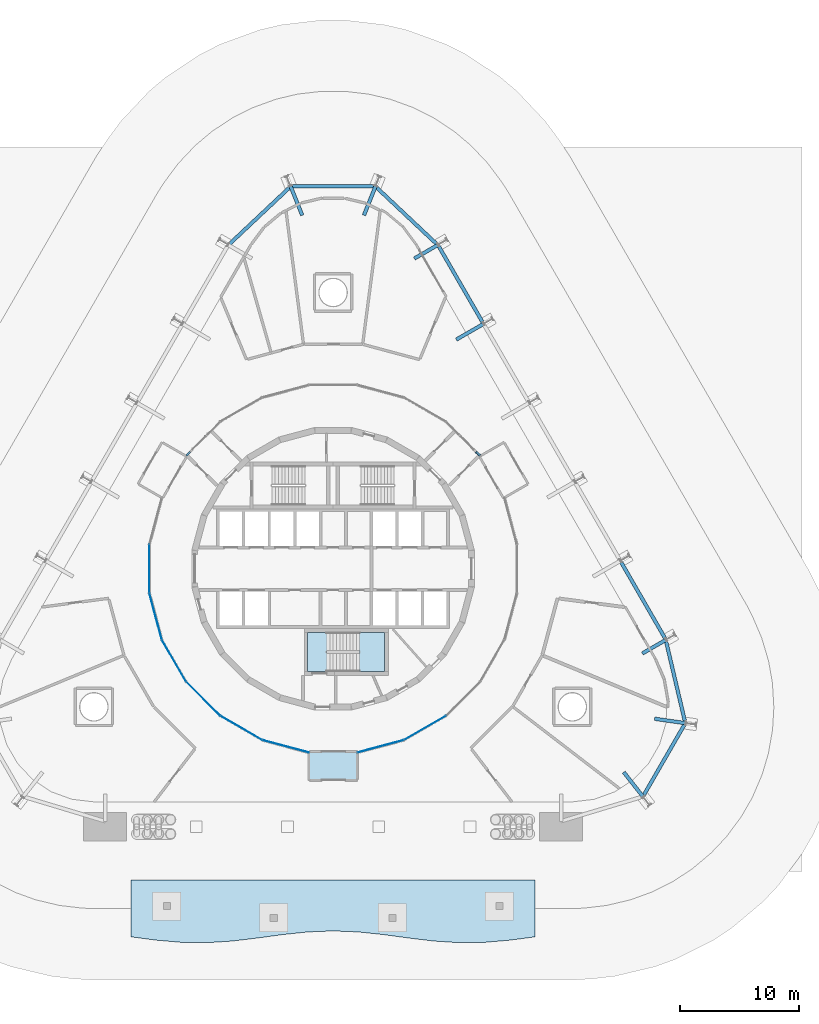
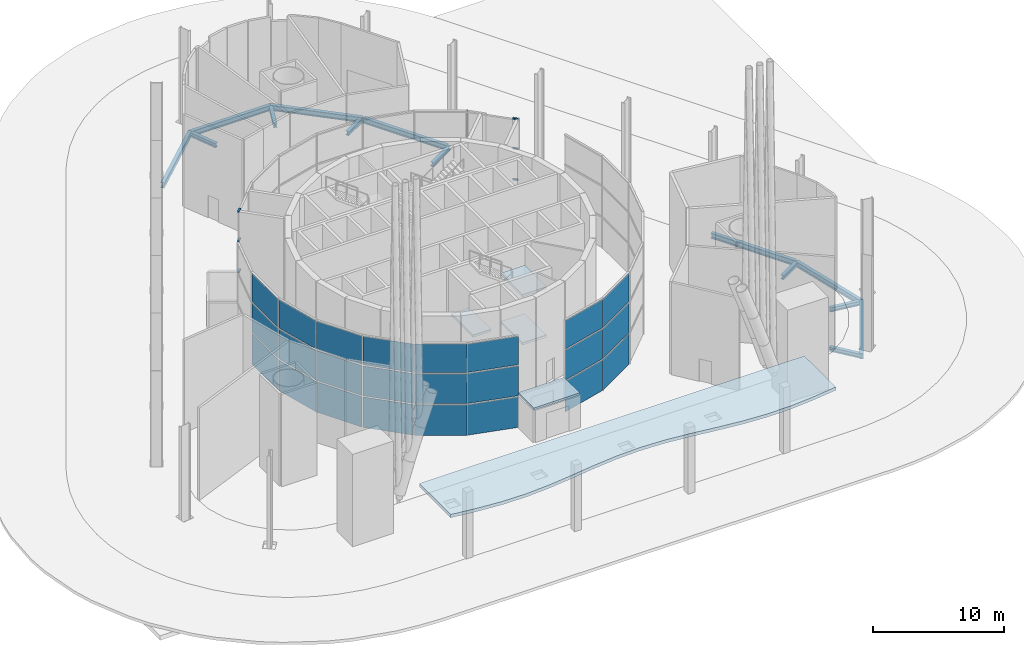
# One storey, part 10 of 21: 24 plates, 14 beams, 6 members, 5 slabs, 11 elements without a shape of their own.
"""IFC4 building model written with IfcOpenShell, lengths in metres."""

from ifc_helpers import new_model, si_unit, direction, frame, origin, origin_2d, place, context, subcontext, project, spatial, polyline, rectangle, i_section, outline, extrude, material, layer, layer_set, material_profile, profile_set, type_object, element, aggregate, save


model = new_model("IFC4")

# Units and contexts
model_context = context("Model", 3, precision=1e-05, world=origin(), true_north=direction((0.0, 1.0)))
body_context = subcontext(model_context, "Body", "Model", "MODEL_VIEW")
ifc_project = project(units=[si_unit("LENGTHUNIT", "METRE"), si_unit("AREAUNIT", "SQUARE_METRE"), si_unit("VOLUMEUNIT", "CUBIC_METRE"), si_unit("PLANEANGLEUNIT", "RADIAN"), si_unit("MASSUNIT", "GRAM", prefix="KILO")], contexts=[model_context])

# Site, building, storey
site_placement = place(None, origin())
site = spatial("IfcSite", under=ifc_project, at=site_placement, CompositionType="ELEMENT")
building_placement = place(site_placement, origin())
building = spatial("IfcBuilding", under=site, at=building_placement, Name="Spindle Arch Residences", CompositionType="ELEMENT")
storey_placement = place(building_placement, origin())
storey = spatial("IfcBuildingStorey", under=building, at=storey_placement, Name="L00", CompositionType="ELEMENT", Elevation=0.0)

# Curtain wall, members
ifc_material_1 = material(Name="Aluminium bronze unitised frame with tinted glass", Category="aluminium")
ifc_layer_1 = layer(ifc_material_1, 0.159912109375)
ifc_layer_set_1 = layer_set([ifc_layer_1], Name="CW-A arcade glazed lobby wall")
curtain_wall_type = type_object("IfcCurtainWallType", Name="CW-A arcade glazed lobby wall", PredefinedType="NOTDEFINED", material=ifc_layer_set_1)
curtain_wall_1_placement = place(storey_placement, origin())
curtain_wall_1 = element("IfcCurtainWall", 1, at=curtain_wall_1_placement, inside=storey, type_object=curtain_wall_type, Name="CW-A L00 CWA07", PredefinedType="NOTDEFINED")
ifc_material_2 = material(Name="Aluminium bronze anodised transom", Category="aluminium")
ifc_material_profile_1 = material_profile(ifc_material_2, rectangle(XDim=0.159912109375, YDim=0.1201171875, at=origin_2d()), Name="TR 120x160")
ifc_profile_set_1 = profile_set([ifc_material_profile_1], Name="Aluminium bronze anodised transom")
member_type = type_object("IfcMemberType", Name="Bronze transom 120x160", PredefinedType="USERDEFINED", material=ifc_profile_set_1)
member_1_placement = place(storey_placement, frame((12.363037109375, 9.524169921875, 2.89990234375), z_axis=(-0.707106781187, 0.707106781187, 0.0), x_axis=(-0.707106781187, -0.707106781187, 0.0)))
member_1 = element("IfcMember", 2, at=member_1_placement, type_object=member_type, Name="CW-A transom L.1", ObjectType="TRANSOM", PredefinedType="USERDEFINED", context=body_context, shape_type="SweptSolid", body=[
    extrude(rectangle(XDim=0.159912109375, YDim=0.1201171875, at=origin_2d()), origin(), (0.0, 0.0, 1.0), 0.447021484375),
])
member_2_placement = place(storey_placement, frame((12.363037109375, 9.524169921875, 5.800048828125), z_axis=(-0.707106781187, 0.707106781187, 0.0), x_axis=(-0.707106781187, -0.707106781187, 0.0)))
member_2 = element("IfcMember", 3, at=member_2_placement, type_object=member_type, Name="CW-A transom L.2", ObjectType="TRANSOM", PredefinedType="USERDEFINED", context=body_context, shape_type="SweptSolid", body=[
    extrude(rectangle(XDim=0.159912109375, YDim=0.1201171875, at=origin_2d()), origin(), (0.0, 0.0, 1.0), 0.447021484375),
])
member_3_placement = place(storey_placement, frame((12.363037109375, 9.524169921875, 8.56005859375), z_axis=(-0.707106781187, 0.707106781187, 0.0), x_axis=(-0.707106781187, -0.707106781187, 0.0)))
member_3 = element("IfcMember", 4, at=member_3_placement, type_object=member_type, Name="CW-A transom L.3", ObjectType="TRANSOM", PredefinedType="USERDEFINED", context=body_context, shape_type="SweptSolid", body=[
    extrude(rectangle(XDim=0.159912109375, YDim=0.1201171875, at=origin_2d()), origin(), (0.0, 0.0, 1.0), 0.447021484375),
])
aggregate(curtain_wall_1, [member_1, member_2, member_3])

curtain_wall_2_placement = place(storey_placement, origin())
curtain_wall_2 = element("IfcCurtainWall", 5, at=curtain_wall_2_placement, inside=storey, type_object=curtain_wall_type, Name="CW-A L00 CWA13", PredefinedType="NOTDEFINED")
member_4_placement = place(storey_placement, frame((-12.0322265625, 9.85498046875, 2.89990234375), z_axis=(-0.707106781187, -0.707106781187, 0.0), x_axis=(0.707106781187, -0.707106781187, 0.0)))
member_4 = element("IfcMember", 6, at=member_4_placement, type_object=member_type, Name="CW-A transom R.1", ObjectType="TRANSOM", PredefinedType="USERDEFINED", context=body_context, shape_type="SweptSolid", body=[
    extrude(rectangle(XDim=0.159912109375, YDim=0.1201171875, at=origin_2d()), origin(), (0.0, 0.0, 1.0), 0.4677734375),
])
member_5_placement = place(storey_placement, frame((-12.0322265625, 9.85498046875, 5.800048828125), z_axis=(-0.707106781187, -0.707106781187, 0.0), x_axis=(0.707106781187, -0.707106781187, 0.0)))
member_5 = element("IfcMember", 7, at=member_5_placement, type_object=member_type, Name="CW-A transom R.2", ObjectType="TRANSOM", PredefinedType="USERDEFINED", context=body_context, shape_type="SweptSolid", body=[
    extrude(rectangle(XDim=0.159912109375, YDim=0.1201171875, at=origin_2d()), origin(), (0.0, 0.0, 1.0), 0.4677734375),
])
member_6_placement = place(storey_placement, frame((-12.0322265625, 9.85498046875, 8.56005859375), z_axis=(-0.707106781187, -0.707106781187, 0.0), x_axis=(0.707106781187, -0.707106781187, 0.0)))
member_6 = element("IfcMember", 8, at=member_6_placement, type_object=member_type, Name="CW-A transom R.3", ObjectType="TRANSOM", PredefinedType="USERDEFINED", context=body_context, shape_type="SweptSolid", body=[
    extrude(rectangle(XDim=0.159912109375, YDim=0.1201171875, at=origin_2d()), origin(), (0.0, 0.0, 1.0), 0.4677734375),
])
aggregate(curtain_wall_2, [member_4, member_5, member_6])

# Beams
ifc_material_3 = material(Name="Steel S460ML, intumescent coating R 120", Category="steel")
ifc_material_profile_2 = material_profile(ifc_material_3, i_section(OverallWidth=0.300048828125, OverallDepth=0.5, WebThickness=0.014404296875, FlangeThickness=0.028076171875, FilletRadius=0.027099609375, at=origin_2d()), Name="HEB 500")
ifc_profile_set_2 = profile_set([ifc_material_profile_2], Name="Steel S460ML, intumescent coating R 120")
beam_type_1 = type_object("IfcBeamType", Name="Exoskeleton edge beam HEB 500", PredefinedType="BEAM", material=ifc_profile_set_2)
beam_1_placement = place(storey_placement, frame((26.06689453125, -19.227783203125, -0.949951171875), z_axis=(0.500025200273, 0.866010853911, 0.0), x_axis=(-0.866010853911, 0.500025200273, 0.0)))
element("IfcBeam", 9, at=beam_1_placement, inside=storey, type_object=beam_type_1, Name="Exoskeleton edge beam 4", PredefinedType="BEAM", context=body_context, shape_type="SweptSolid", body=[
    extrude(i_section(OverallWidth=0.300048828125, OverallDepth=0.5, WebThickness=0.014404296875, FlangeThickness=0.028076171875, FilletRadius=0.027099609375, at=origin_2d()), origin(), (0.0, 0.0, 1.0), 7.236572265625),
])
beam_2_placement = place(storey_placement, frame((29.668212890625, -13.03173828125, -0.949951171875), z_axis=(-0.229185730541, 0.973382710406, 0.0), x_axis=(-0.973382710406, -0.229185730541, 0.0)))
element("IfcBeam", 10, at=beam_2_placement, inside=storey, type_object=beam_type_1, Name="Exoskeleton edge beam 5", PredefinedType="BEAM", context=body_context, shape_type="SweptSolid", body=[
    extrude(i_section(OverallWidth=0.300048828125, OverallDepth=0.5, WebThickness=0.014404296875, FlangeThickness=0.028076171875, FilletRadius=0.027099609375, at=origin_2d()), origin(), (0.0, 0.0, 1.0), 7.25),
])
beam_3_placement = place(storey_placement, frame((27.964111328125, -5.875244140625, -0.949951171875), z_axis=(-0.50002815445, 0.866009148195, 0.0), x_axis=(-0.866009148195, -0.50002815445, 0.0)))
element("IfcBeam", 11, at=beam_3_placement, inside=storey, type_object=beam_type_1, Name="Exoskeleton edge beam 6", PredefinedType="BEAM", context=body_context, shape_type="SweptSolid", body=[
    extrude(i_section(OverallWidth=0.300048828125, OverallDepth=0.5, WebThickness=0.014404296875, FlangeThickness=0.028076171875, FilletRadius=0.027099609375, at=origin_2d()), origin(), (0.0, 0.0, 1.0), 7.419921875),
])
beam_4_placement = place(storey_placement, frame((12.60400390625, 20.729248046875, -0.949951171875), z_axis=(-0.5000139068, 0.866017374541, 0.0), x_axis=(-0.866017374541, -0.5000139068, 0.0)))
element("IfcBeam", 12, at=beam_4_placement, inside=storey, type_object=beam_type_1, Name="Exoskeleton edge beam 10", PredefinedType="BEAM", context=body_context, shape_type="SweptSolid", body=[
    extrude(i_section(OverallWidth=0.300048828125, OverallDepth=0.5, WebThickness=0.014404296875, FlangeThickness=0.028076171875, FilletRadius=0.027099609375, at=origin_2d()), origin(), (0.0, 0.0, 1.0), 7.420166015625),
])
beam_5_placement = place(storey_placement, frame((8.829345703125, 27.24169921875, -0.949951171875), z_axis=(-0.728377909202, 0.685175613538, 0.0), x_axis=(-0.685175613538, -0.728377909202, 0.0)))
element("IfcBeam", 13, at=beam_5_placement, inside=storey, type_object=beam_type_1, Name="Exoskeleton edge beam 11", PredefinedType="BEAM", context=body_context, shape_type="SweptSolid", body=[
    extrude(i_section(OverallWidth=0.300048828125, OverallDepth=0.5, WebThickness=0.014404296875, FlangeThickness=0.028076171875, FilletRadius=0.027099609375, at=origin_2d()), origin(), (0.0, 0.0, 1.0), 7.250244140625),
])
beam_6_placement = place(storey_placement, frame((3.6181640625, 32.188720703125, -0.949951171875), z_axis=(-1.0, 0.0, 0.0), x_axis=(0.0, -1.0, 0.0)))
element("IfcBeam", 14, at=beam_6_placement, inside=storey, type_object=beam_type_1, Name="Exoskeleton edge beam 12", PredefinedType="BEAM", context=body_context, shape_type="SweptSolid", body=[
    extrude(i_section(OverallWidth=0.300048828125, OverallDepth=0.5, WebThickness=0.014404296875, FlangeThickness=0.028076171875, FilletRadius=0.027099609375, at=origin_2d()), origin(), (0.0, 0.0, 1.0), 7.236328125),
])
beam_7_placement = place(storey_placement, frame((-3.54833984375, 32.20947265625, -0.949951171875), z_axis=(-0.728377909202, -0.685175613538, 0.0), x_axis=(0.685175613538, -0.728377909202, 0.0)))
element("IfcBeam", 15, at=beam_7_placement, inside=storey, type_object=beam_type_1, Name="Exoskeleton edge beam 13", PredefinedType="BEAM", context=body_context, shape_type="SweptSolid", body=[
    extrude(i_section(OverallWidth=0.300048828125, OverallDepth=0.5, WebThickness=0.014404296875, FlangeThickness=0.028076171875, FilletRadius=0.027099609375, at=origin_2d()), origin(), (0.0, 0.0, 1.0), 7.250244140625),
])
ifc_material_4 = material(Name="Steel S460ML, intumescent coating R 120", Category="steel")
ifc_material_profile_3 = material_profile(ifc_material_4, i_section(OverallWidth=0.300048828125, OverallDepth=0.389892578125, WebThickness=0.010986328125, FlangeThickness=0.01904296875, FilletRadius=0.027099609375, at=origin_2d()), Name="HEA 400")
ifc_profile_set_3 = profile_set([ifc_material_profile_3], Name="Steel S460ML, intumescent coating R 120")
beam_type_2 = type_object("IfcBeamType", Name="Floor outrigger HEA 400", PredefinedType="BEAM", material=ifc_profile_set_3)
for number, where, z_axis, x_axis, name in (
    (16, (26.11328125, -19.211669921875, -0.89501953125), (-0.618586231558, 0.785716917297, 0.0), (-0.785716917297, -0.618586231558, 0.0), "Floor outrigger 4"),
    (17, (29.694580078125, -13.009033203125, -0.89501953125), (-0.989738348309, 0.142891573883, 0.0), (-0.142891573883, -0.989738348309, 0.0), "Floor outrigger 5"),
):
    element("IfcBeam", number, at=place(storey_placement, frame(where, z_axis=z_axis, x_axis=x_axis)), inside=storey, type_object=beam_type_2, Name=name, PredefinedType="BEAM", context=body_context, shape_type="SweptSolid", body=[
        extrude(i_section(OverallWidth=0.300048828125, OverallDepth=0.389892578125, WebThickness=0.010986328125, FlangeThickness=0.01904296875, FilletRadius=0.027099609375, at=origin_2d()), origin(), (0.0, 0.0, 1.0), 2.64990234375),
    ])
beam_8_placement = place(storey_placement, frame((28.029052734375, -5.98779296875, -0.89501953125), z_axis=(-0.866001280077, -0.50004178116, 0.0), x_axis=(0.50004178116, -0.866001280077, 0.0)))
element("IfcBeam", 18, at=beam_8_placement, inside=storey, type_object=beam_type_2, Name="Floor outrigger 6", PredefinedType="BEAM", context=body_context, shape_type="SweptSolid", body=[
    extrude(i_section(OverallWidth=0.300048828125, OverallDepth=0.389892578125, WebThickness=0.010986328125, FlangeThickness=0.01904296875, FilletRadius=0.027099609375, at=origin_2d()), origin(), (0.0, 0.0, 1.0), 2.294189453125),
])
beam_9_placement = place(storey_placement, frame((12.6689453125, 20.61669921875, -0.89501953125), z_axis=(-0.866052124492, -0.499953715521, 0.0), x_axis=(0.499953715521, -0.866052124492, 0.0)))
element("IfcBeam", 19, at=beam_9_placement, inside=storey, type_object=beam_type_2, Name="Floor outrigger 10", PredefinedType="BEAM", context=body_context, shape_type="SweptSolid", body=[
    extrude(i_section(OverallWidth=0.300048828125, OverallDepth=0.389892578125, WebThickness=0.010986328125, FlangeThickness=0.01904296875, FilletRadius=0.027099609375, at=origin_2d()), origin(), (0.0, 0.0, 1.0), 2.650146484375),
])
beam_10_placement = place(storey_placement, frame((8.828857421875, 27.267822265625, -0.89501953125), z_axis=(-0.866020755578, -0.500008050843, 0.0), x_axis=(0.500008050843, -0.866020755578, 0.0)))
element("IfcBeam", 20, at=beam_10_placement, inside=storey, type_object=beam_type_2, Name="Floor outrigger 11", PredefinedType="BEAM", context=body_context, shape_type="SweptSolid", body=[
    extrude(i_section(OverallWidth=0.300048828125, OverallDepth=0.389892578125, WebThickness=0.010986328125, FlangeThickness=0.01904296875, FilletRadius=0.027099609375, at=origin_2d()), origin(), (0.0, 0.0, 1.0), 2.2939453125),
])
for number, where, z_axis, x_axis, name in (
    (21, (3.581298828125, 32.220703125, -0.89501953125), (-0.371104734129, -0.928591016706, 0.0), (0.928591016706, -0.371104734129, 0.0), "Floor outrigger 12"),
    (22, (-3.581298828125, 32.220703125, -0.89501953125), (0.371104734129, -0.928591016706, 0.0), (0.928591016706, 0.371104734129, 0.0), "Floor outrigger 13"),
):
    element("IfcBeam", number, at=place(storey_placement, frame(where, z_axis=z_axis, x_axis=x_axis)), inside=storey, type_object=beam_type_2, Name=name, PredefinedType="BEAM", context=body_context, shape_type="SweptSolid", body=[
        extrude(i_section(OverallWidth=0.300048828125, OverallDepth=0.389892578125, WebThickness=0.010986328125, FlangeThickness=0.01904296875, FilletRadius=0.027099609375, at=origin_2d()), origin(), (0.0, 0.0, 1.0), 2.64990234375),
    ])

# Slab
ifc_material_5 = material(Name="Concrete C40/50", Category="concrete")
ifc_layer_2 = layer(ifc_material_5, 0.199951171875)
ifc_layer_set_2 = layer_set([ifc_layer_2], Name="Entrance vestibule roof slab 200")
slab_type_1 = type_object("IfcSlabType", Name="Entrance vestibule roof slab 200", PredefinedType="ROOF", material=ifc_layer_set_2)
slab_1_placement = place(storey_placement, frame((0.0, 0.0, 3.0)))
element("IfcSlab", 23, at=slab_1_placement, inside=storey, type_object=slab_type_1, Name="Entrance vestibule S roof", PredefinedType="ROOF", context=body_context, shape_type="SweptSolid", body=[
    extrude(outline(polyline([(2.027099609375, -15.397216796875), (-2.027099609375, -15.397216796875), (-2.027099609375, -17.79736328125), (2.027099609375, -17.79736328125), (2.027099609375, -15.397216796875)])), origin(), (0.0, 0.0, 1.0), 0.199951171875),
])

# Stair, slabs
ifc_material_6 = material(Name="Concrete C50/60", Category="concrete")
stair_type = type_object("IfcStairType", Name="Exit stair 44 risers", PredefinedType="HALF_TURN_STAIR", material=ifc_material_6)
stair_placement = place(storey_placement, origin())
stair = element("IfcStair", 24, at=stair_placement, inside=storey, type_object=stair_type, Name="L00 Exit stair ST3", PredefinedType="HALF_TURN_STAIR")
ifc_material_7 = material(Name="Concrete C50/60", Category="concrete")
ifc_layer_3 = layer(ifc_material_7, 0.219970703125)
ifc_layer_set_3 = layer_set([ifc_layer_3], Name="Exit stair landing 220")
slab_type_2 = type_object("IfcSlabType", Name="Exit stair landing 220", PredefinedType="LANDING", material=ifc_layer_set_3)
slab_2_placement = place(storey_placement, frame((0.0, 0.0, 2.030029296875)))
slab_2 = element("IfcSlab", 25, at=slab_2_placement, type_object=slab_type_2, Name="ST3 landing 1", PredefinedType="LANDING", context=body_context, shape_type="SweptSolid", body=[
    extrude(outline(polyline([(2.22998046875, -8.669921875), (4.35009765625, -8.669921875), (4.35009765625, -5.35009765625), (2.22998046875, -5.35009765625), (2.22998046875, -8.669921875)])), origin(), (0.0, 0.0, 1.0), 0.219970703125),
])
slab_3_placement = place(storey_placement, frame((0.0, 0.0, 4.280029296875)))
slab_3 = element("IfcSlab", 26, at=slab_3_placement, type_object=slab_type_2, Name="ST3 landing 2", PredefinedType="LANDING", context=body_context, shape_type="SweptSolid", body=[
    extrude(outline(polyline([(-2.14990234375, -8.669921875), (-0.530029296875, -8.669921875), (-0.530029296875, -5.35009765625), (-2.14990234375, -5.35009765625), (-2.14990234375, -8.669921875)])), origin(), (0.0, 0.0, 1.0), 0.219970703125),
])
slab_4_placement = place(storey_placement, frame((0.0, 0.0, 6.530029296875)))
slab_4 = element("IfcSlab", 27, at=slab_4_placement, type_object=slab_type_2, Name="ST3 landing 3", PredefinedType="LANDING", context=body_context, shape_type="SweptSolid", body=[
    extrude(outline(polyline([(2.22998046875, -8.669921875), (4.35009765625, -8.669921875), (4.35009765625, -5.35009765625), (2.22998046875, -5.35009765625), (2.22998046875, -8.669921875)])), origin(), (0.0, 0.0, 1.0), 0.219970703125),
])
aggregate(stair, [slab_2, slab_3, slab_4])

# Slab
ifc_material_8 = material(Name="Concrete C40/50", Category="concrete")
ifc_layer_4 = layer(ifc_material_8, 0.300048828125)
ifc_layer_set_4 = layer_set([ifc_layer_4], Name="Marquise canopy slab 300")
slab_type_3 = type_object("IfcSlabType", Name="Marquise canopy slab 300", PredefinedType="ROOF", material=ifc_layer_set_4)
slab_5_placement = place(storey_placement, frame((0.0, 0.0, 6.199951171875)))
element("IfcSlab", 28, at=slab_5_placement, inside=storey, type_object=slab_type_3, Name="CANOPY marquise", PredefinedType="ROOF", context=body_context, shape_type="SweptSolid", body=[
    extrude(outline(polyline([(-17.0, -31.0), (-14.875, -31.27783203125), (-12.75, -31.4619140625), (-10.625, -31.490478515625), (-8.5, -31.353515625), (-6.375, -31.09765625), (-4.25, -30.80859375), (-2.125, -30.584228515625), (0.0, -30.5), (2.125, -30.584228515625), (4.25, -30.80859375), (6.375, -31.09765625), (8.5, -31.353515625), (10.625, -31.490478515625), (12.75, -31.4619140625), (14.875, -31.27783203125), (17.0, -31.0), (17.0, -26.199951171875), (-17.0, -26.199951171875), (-17.0, -31.0)])), origin(), (0.0, 0.0, 1.0), 0.300048828125),
])

# Curtain wall, plates
curtain_wall_3_placement = place(storey_placement, origin())
curtain_wall_3 = element("IfcCurtainWall", 29, at=curtain_wall_3_placement, inside=storey, type_object=curtain_wall_type, Name="CW-A L00 CWA00", PredefinedType="NOTDEFINED")
ifc_material_9 = material(Name="Tinted laminated glass 28 mm", Category="glass")
ifc_layer_5 = layer(ifc_material_9, 0.028076171875)
ifc_layer_set_5 = layer_set([ifc_layer_5], Name="Tinted glass panel 28 mm")
plate_type = type_object("IfcPlateType", Name="Tinted glass panel 28 mm", PredefinedType="CURTAIN_PANEL", material=ifc_layer_set_5)
plate_1_placement = place(storey_placement, frame((7.73828125, -13.403076171875, 0.0), z_axis=(0.0, 0.0, 1.0), x_axis=(0.866012300009, 0.500022695718, 0.0)))
plate_1 = element("IfcPlate", 30, at=plate_1_placement, type_object=plate_type, Name="CW-A panel 00.1", PredefinedType="CURTAIN_PANEL", context=body_context, shape_type="SweptSolid", body=[
    extrude(rectangle(XDim=4.01513671875, YDim=0.028076171875, at=origin_2d()), origin(), (0.0, 0.0, 1.0), 2.840087890625),
])
plate_2_placement = place(storey_placement, frame((7.73828125, -13.403076171875, 2.9599609375), z_axis=(0.0, 0.0, 1.0), x_axis=(0.866012300009, 0.500022695718, 0.0)))
plate_2 = element("IfcPlate", 31, at=plate_2_placement, type_object=plate_type, Name="CW-A panel 00.2", PredefinedType="CURTAIN_PANEL", context=body_context, shape_type="SweptSolid", body=[
    extrude(rectangle(XDim=4.01513671875, YDim=0.028076171875, at=origin_2d()), origin(), (0.0, 0.0, 1.0), 2.780029296875),
])
plate_3_placement = place(storey_placement, frame((7.73828125, -13.403076171875, 5.85986328125), z_axis=(0.0, 0.0, 1.0), x_axis=(0.866012300009, 0.500022695718, 0.0)))
plate_3 = element("IfcPlate", 32, at=plate_3_placement, type_object=plate_type, Name="CW-A panel 00.3", PredefinedType="CURTAIN_PANEL", context=body_context, shape_type="SweptSolid", body=[
    extrude(rectangle(XDim=4.01513671875, YDim=0.028076171875, at=origin_2d()), origin(), (0.0, 0.0, 1.0), 2.639892578125),
])
aggregate(curtain_wall_3, [plate_1, plate_2, plate_3])

curtain_wall_4_placement = place(storey_placement, origin())
curtain_wall_4 = element("IfcCurtainWall", 33, at=curtain_wall_4_placement, inside=storey, type_object=curtain_wall_type, Name="CW-A L00 CWA16", PredefinedType="NOTDEFINED")
plate_4_placement = place(storey_placement, frame((-15.4765625, 0.0, 0.0), z_axis=(0.0, 0.0, 1.0), x_axis=(0.0, -1.0, 0.0)))
plate_4 = element("IfcPlate", 34, at=plate_4_placement, type_object=plate_type, Name="CW-A panel 00.1", PredefinedType="CURTAIN_PANEL", context=body_context, shape_type="SweptSolid", body=[
    extrude(rectangle(XDim=4.014892578125, YDim=0.028076171875, at=origin_2d()), origin(), (0.0, 0.0, 1.0), 2.840087890625),
])
plate_5_placement = place(storey_placement, frame((-15.4765625, 0.0, 2.9599609375), z_axis=(0.0, 0.0, 1.0), x_axis=(0.0, -1.0, 0.0)))
plate_5 = element("IfcPlate", 35, at=plate_5_placement, type_object=plate_type, Name="CW-A panel 00.2", PredefinedType="CURTAIN_PANEL", context=body_context, shape_type="SweptSolid", body=[
    extrude(rectangle(XDim=4.014892578125, YDim=0.028076171875, at=origin_2d()), origin(), (0.0, 0.0, 1.0), 2.780029296875),
])
plate_6_placement = place(storey_placement, frame((-15.4765625, 0.0, 5.85986328125), z_axis=(0.0, 0.0, 1.0), x_axis=(0.0, -1.0, 0.0)))
plate_6 = element("IfcPlate", 36, at=plate_6_placement, type_object=plate_type, Name="CW-A panel 00.3", PredefinedType="CURTAIN_PANEL", context=body_context, shape_type="SweptSolid", body=[
    extrude(rectangle(XDim=4.014892578125, YDim=0.028076171875, at=origin_2d()), origin(), (0.0, 0.0, 1.0), 2.639892578125),
])
aggregate(curtain_wall_4, [plate_4, plate_5, plate_6])

curtain_wall_5_placement = place(storey_placement, origin())
curtain_wall_5 = element("IfcCurtainWall", 37, at=curtain_wall_5_placement, inside=storey, type_object=curtain_wall_type, Name="CW-A L00 CWA17", PredefinedType="NOTDEFINED")
plate_7_placement = place(storey_placement, frame((-14.94921875, -4.005615234375, 0.0), z_axis=(0.0, 0.0, 1.0), x_axis=(0.258786338994, -0.965934589271, 0.0)))
plate_7 = element("IfcPlate", 38, at=plate_7_placement, type_object=plate_type, Name="CW-A panel 00.1", PredefinedType="CURTAIN_PANEL", context=body_context, shape_type="SweptSolid", body=[
    extrude(rectangle(XDim=4.01513671875, YDim=0.028076171875, at=origin_2d()), origin(), (0.0, 0.0, 1.0), 2.840087890625),
])
plate_8_placement = place(storey_placement, frame((-14.94921875, -4.005615234375, 2.9599609375), z_axis=(0.0, 0.0, 1.0), x_axis=(0.258786338994, -0.965934589271, 0.0)))
plate_8 = element("IfcPlate", 39, at=plate_8_placement, type_object=plate_type, Name="CW-A panel 00.2", PredefinedType="CURTAIN_PANEL", context=body_context, shape_type="SweptSolid", body=[
    extrude(rectangle(XDim=4.01513671875, YDim=0.028076171875, at=origin_2d()), origin(), (0.0, 0.0, 1.0), 2.780029296875),
])
plate_9_placement = place(storey_placement, frame((-14.94921875, -4.005615234375, 5.85986328125), z_axis=(0.0, 0.0, 1.0), x_axis=(0.258786338994, -0.965934589271, 0.0)))
plate_9 = element("IfcPlate", 40, at=plate_9_placement, type_object=plate_type, Name="CW-A panel 00.3", PredefinedType="CURTAIN_PANEL", context=body_context, shape_type="SweptSolid", body=[
    extrude(rectangle(XDim=4.01513671875, YDim=0.028076171875, at=origin_2d()), origin(), (0.0, 0.0, 1.0), 2.639892578125),
])
aggregate(curtain_wall_5, [plate_7, plate_8, plate_9])

curtain_wall_6_placement = place(storey_placement, origin())
curtain_wall_6 = element("IfcCurtainWall", 41, at=curtain_wall_6_placement, inside=storey, type_object=curtain_wall_type, Name="CW-A L00 CWA18", PredefinedType="NOTDEFINED")
plate_10_placement = place(storey_placement, frame((-13.403076171875, -7.73828125, 0.0), z_axis=(0.0, 0.0, 1.0), x_axis=(0.500022695718, -0.866012300009, 0.0)))
plate_10 = element("IfcPlate", 42, at=plate_10_placement, type_object=plate_type, Name="CW-A panel 00.1", PredefinedType="CURTAIN_PANEL", context=body_context, shape_type="SweptSolid", body=[
    extrude(rectangle(XDim=4.01513671875, YDim=0.028076171875, at=origin_2d()), origin(), (0.0, 0.0, 1.0), 2.840087890625),
])
plate_11_placement = place(storey_placement, frame((-13.403076171875, -7.73828125, 2.9599609375), z_axis=(0.0, 0.0, 1.0), x_axis=(0.500022695718, -0.866012300009, 0.0)))
plate_11 = element("IfcPlate", 43, at=plate_11_placement, type_object=plate_type, Name="CW-A panel 00.2", PredefinedType="CURTAIN_PANEL", context=body_context, shape_type="SweptSolid", body=[
    extrude(rectangle(XDim=4.01513671875, YDim=0.028076171875, at=origin_2d()), origin(), (0.0, 0.0, 1.0), 2.780029296875),
])
plate_12_placement = place(storey_placement, frame((-13.403076171875, -7.73828125, 5.85986328125), z_axis=(0.0, 0.0, 1.0), x_axis=(0.500022695718, -0.866012300009, 0.0)))
plate_12 = element("IfcPlate", 44, at=plate_12_placement, type_object=plate_type, Name="CW-A panel 00.3", PredefinedType="CURTAIN_PANEL", context=body_context, shape_type="SweptSolid", body=[
    extrude(rectangle(XDim=4.01513671875, YDim=0.028076171875, at=origin_2d()), origin(), (0.0, 0.0, 1.0), 2.639892578125),
])
aggregate(curtain_wall_6, [plate_10, plate_11, plate_12])

curtain_wall_7_placement = place(storey_placement, origin())
curtain_wall_7 = element("IfcCurtainWall", 45, at=curtain_wall_7_placement, inside=storey, type_object=curtain_wall_type, Name="CW-A L00 CWA19", PredefinedType="NOTDEFINED")
plate_13_placement = place(storey_placement, frame((-10.943603515625, -10.943603515625, 0.0), z_axis=(0.0, 0.0, 1.0), x_axis=(0.707106781187, -0.707106781187, 0.0)))
plate_13 = element("IfcPlate", 46, at=plate_13_placement, type_object=plate_type, Name="CW-A panel 00.1", PredefinedType="CURTAIN_PANEL", context=body_context, shape_type="SweptSolid", body=[
    extrude(rectangle(XDim=4.014892578125, YDim=0.028076171875, at=origin_2d()), origin(), (0.0, 0.0, 1.0), 2.840087890625),
])
plate_14_placement = place(storey_placement, frame((-10.943603515625, -10.943603515625, 2.9599609375), z_axis=(0.0, 0.0, 1.0), x_axis=(0.707106781187, -0.707106781187, 0.0)))
plate_14 = element("IfcPlate", 47, at=plate_14_placement, type_object=plate_type, Name="CW-A panel 00.2", PredefinedType="CURTAIN_PANEL", context=body_context, shape_type="SweptSolid", body=[
    extrude(rectangle(XDim=4.014892578125, YDim=0.028076171875, at=origin_2d()), origin(), (0.0, 0.0, 1.0), 2.780029296875),
])
plate_15_placement = place(storey_placement, frame((-10.943603515625, -10.943603515625, 5.85986328125), z_axis=(0.0, 0.0, 1.0), x_axis=(0.707106781187, -0.707106781187, 0.0)))
plate_15 = element("IfcPlate", 48, at=plate_15_placement, type_object=plate_type, Name="CW-A panel 00.3", PredefinedType="CURTAIN_PANEL", context=body_context, shape_type="SweptSolid", body=[
    extrude(rectangle(XDim=4.014892578125, YDim=0.028076171875, at=origin_2d()), origin(), (0.0, 0.0, 1.0), 2.639892578125),
])
aggregate(curtain_wall_7, [plate_13, plate_14, plate_15])

curtain_wall_8_placement = place(storey_placement, origin())
curtain_wall_8 = element("IfcCurtainWall", 49, at=curtain_wall_8_placement, inside=storey, type_object=curtain_wall_type, Name="CW-A L00 CWA20", PredefinedType="NOTDEFINED")
plate_16_placement = place(storey_placement, frame((-7.73828125, -13.403076171875, 0.0), z_axis=(0.0, 0.0, 1.0), x_axis=(0.866012300009, -0.500022695718, 0.0)))
plate_16 = element("IfcPlate", 50, at=plate_16_placement, type_object=plate_type, Name="CW-A panel 00.1", PredefinedType="CURTAIN_PANEL", context=body_context, shape_type="SweptSolid", body=[
    extrude(rectangle(XDim=4.01513671875, YDim=0.028076171875, at=origin_2d()), origin(), (0.0, 0.0, 1.0), 2.840087890625),
])
plate_17_placement = place(storey_placement, frame((-7.73828125, -13.403076171875, 2.9599609375), z_axis=(0.0, 0.0, 1.0), x_axis=(0.866012300009, -0.500022695718, 0.0)))
plate_17 = element("IfcPlate", 51, at=plate_17_placement, type_object=plate_type, Name="CW-A panel 00.2", PredefinedType="CURTAIN_PANEL", context=body_context, shape_type="SweptSolid", body=[
    extrude(rectangle(XDim=4.01513671875, YDim=0.028076171875, at=origin_2d()), origin(), (0.0, 0.0, 1.0), 2.780029296875),
])
plate_18_placement = place(storey_placement, frame((-7.73828125, -13.403076171875, 5.85986328125), z_axis=(0.0, 0.0, 1.0), x_axis=(0.866012300009, -0.500022695718, 0.0)))
plate_18 = element("IfcPlate", 52, at=plate_18_placement, type_object=plate_type, Name="CW-A panel 00.3", PredefinedType="CURTAIN_PANEL", context=body_context, shape_type="SweptSolid", body=[
    extrude(rectangle(XDim=4.01513671875, YDim=0.028076171875, at=origin_2d()), origin(), (0.0, 0.0, 1.0), 2.639892578125),
])
aggregate(curtain_wall_8, [plate_16, plate_17, plate_18])

curtain_wall_9_placement = place(storey_placement, origin())
curtain_wall_9 = element("IfcCurtainWall", 53, at=curtain_wall_9_placement, inside=storey, type_object=curtain_wall_type, Name="CW-A L00 CWA21", PredefinedType="NOTDEFINED")
plate_19_placement = place(storey_placement, frame((-4.005615234375, -14.94921875, 0.0), z_axis=(0.0, 0.0, 1.0), x_axis=(0.965934589271, -0.258786338994, 0.0)))
plate_19 = element("IfcPlate", 54, at=plate_19_placement, type_object=plate_type, Name="CW-A panel 00.1", PredefinedType="CURTAIN_PANEL", context=body_context, shape_type="SweptSolid", body=[
    extrude(rectangle(XDim=4.01513671875, YDim=0.028076171875, at=origin_2d()), origin(), (0.0, 0.0, 1.0), 2.840087890625),
])
plate_20_placement = place(storey_placement, frame((-4.005615234375, -14.94921875, 2.9599609375), z_axis=(0.0, 0.0, 1.0), x_axis=(0.965934589271, -0.258786338994, 0.0)))
plate_20 = element("IfcPlate", 55, at=plate_20_placement, type_object=plate_type, Name="CW-A panel 00.2", PredefinedType="CURTAIN_PANEL", context=body_context, shape_type="SweptSolid", body=[
    extrude(rectangle(XDim=4.01513671875, YDim=0.028076171875, at=origin_2d()), origin(), (0.0, 0.0, 1.0), 2.780029296875),
])
plate_21_placement = place(storey_placement, frame((-4.005615234375, -14.94921875, 5.85986328125), z_axis=(0.0, 0.0, 1.0), x_axis=(0.965934589271, -0.258786338994, 0.0)))
plate_21 = element("IfcPlate", 56, at=plate_21_placement, type_object=plate_type, Name="CW-A panel 00.3", PredefinedType="CURTAIN_PANEL", context=body_context, shape_type="SweptSolid", body=[
    extrude(rectangle(XDim=4.01513671875, YDim=0.028076171875, at=origin_2d()), origin(), (0.0, 0.0, 1.0), 2.639892578125),
])
aggregate(curtain_wall_9, [plate_19, plate_20, plate_21])

curtain_wall_10_placement = place(storey_placement, origin())
curtain_wall_10 = element("IfcCurtainWall", 57, at=curtain_wall_10_placement, inside=storey, type_object=curtain_wall_type, Name="CW-A L00 CWA23", PredefinedType="NOTDEFINED")
plate_22_placement = place(storey_placement, frame((4.005615234375, -14.94921875, 0.0), z_axis=(0.0, 0.0, 1.0), x_axis=(0.965934589271, 0.258786338994, 0.0)))
plate_22 = element("IfcPlate", 58, at=plate_22_placement, type_object=plate_type, Name="CW-A panel 00.1", PredefinedType="CURTAIN_PANEL", context=body_context, shape_type="SweptSolid", body=[
    extrude(rectangle(XDim=4.01513671875, YDim=0.028076171875, at=origin_2d()), origin(), (0.0, 0.0, 1.0), 2.840087890625),
])
plate_23_placement = place(storey_placement, frame((4.005615234375, -14.94921875, 2.9599609375), z_axis=(0.0, 0.0, 1.0), x_axis=(0.965934589271, 0.258786338994, 0.0)))
plate_23 = element("IfcPlate", 59, at=plate_23_placement, type_object=plate_type, Name="CW-A panel 00.2", PredefinedType="CURTAIN_PANEL", context=body_context, shape_type="SweptSolid", body=[
    extrude(rectangle(XDim=4.01513671875, YDim=0.028076171875, at=origin_2d()), origin(), (0.0, 0.0, 1.0), 2.780029296875),
])
plate_24_placement = place(storey_placement, frame((4.005615234375, -14.94921875, 5.85986328125), z_axis=(0.0, 0.0, 1.0), x_axis=(0.965934589271, 0.258786338994, 0.0)))
plate_24 = element("IfcPlate", 60, at=plate_24_placement, type_object=plate_type, Name="CW-A panel 00.3", PredefinedType="CURTAIN_PANEL", context=body_context, shape_type="SweptSolid", body=[
    extrude(rectangle(XDim=4.01513671875, YDim=0.028076171875, at=origin_2d()), origin(), (0.0, 0.0, 1.0), 2.639892578125),
])
aggregate(curtain_wall_10, [plate_22, plate_23, plate_24])

save(model, "model.ifc")
